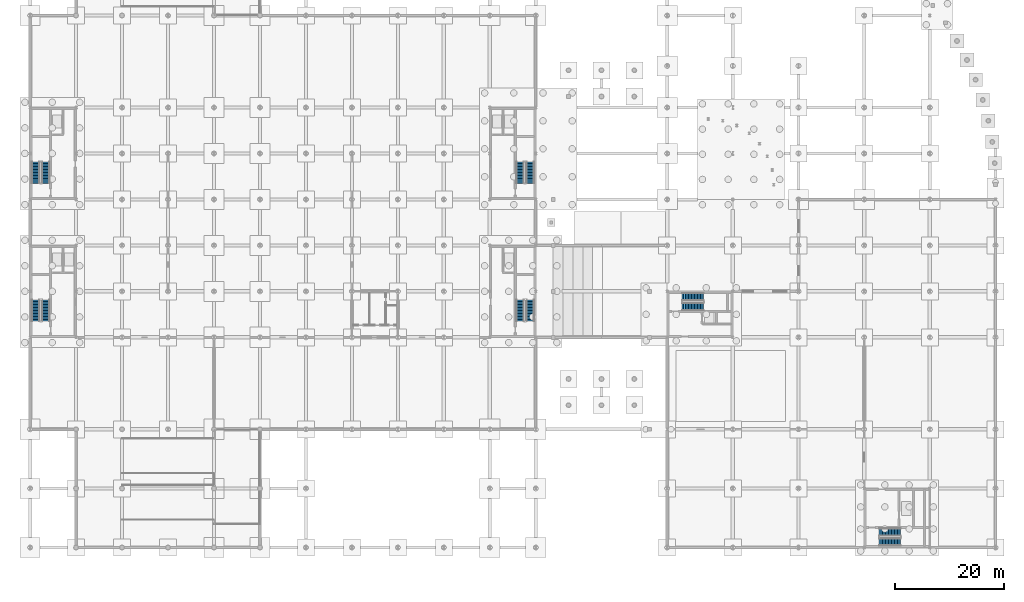
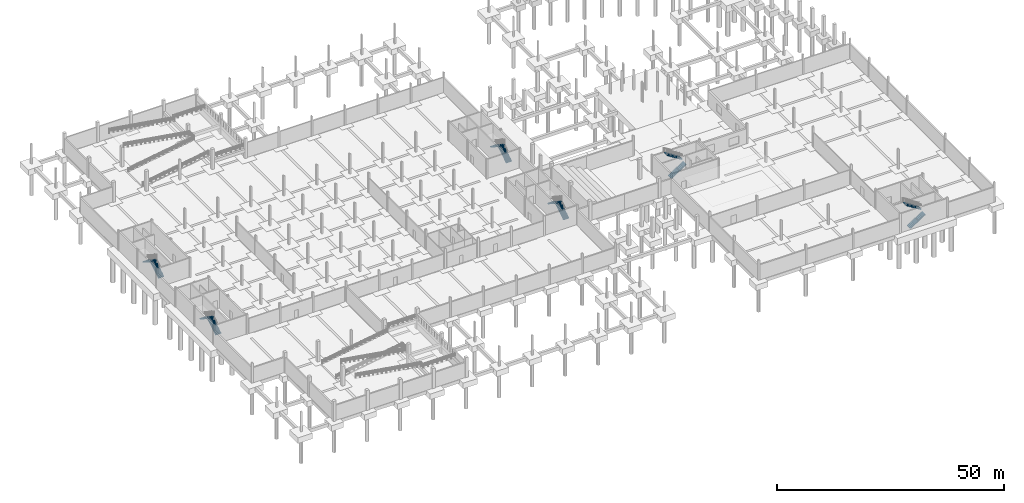
# One storey, part 30 of 36: 12 stair flights, 6 elements without a shape of their own.
"""IFC4 building model written with IfcOpenShell, lengths in metres."""

from ifc_helpers import new_model, si_unit, direction, frame, origin, place, context, subcontext, project, spatial, polyline, outline, extrude, material, type_object, element, aggregate, save


model = new_model("IFC4")

# Units and contexts
model_context = context("Model", 3, precision=1e-05, world=origin(), true_north=direction((0.0, 1.0)))
body_context = subcontext(model_context, "Body", "Model", "MODEL_VIEW")
ifc_project = project(units=[si_unit("LENGTHUNIT", "METRE"), si_unit("AREAUNIT", "SQUARE_METRE"), si_unit("VOLUMEUNIT", "CUBIC_METRE"), si_unit("PLANEANGLEUNIT", "RADIAN"), si_unit("MASSUNIT", "GRAM", prefix="KILO"), si_unit("THERMODYNAMICTEMPERATUREUNIT", "KELVIN"), si_unit("POWERUNIT", "WATT")], contexts=[model_context])

# Site, building, storey
site_placement = place(None, origin())
site = spatial("IfcSite", under=ifc_project, at=site_placement, CompositionType="ELEMENT")
building_placement = place(site_placement, origin())
building = spatial("IfcBuilding", under=site, at=building_placement, Name="Tembeka Court Mobility Hub", CompositionType="ELEMENT")
storey_placement = place(building_placement, frame((0.0, 0.0, -5.39990234375)))
storey = spatial("IfcBuildingStorey", under=building, at=storey_placement, Name="B1", CompositionType="ELEMENT", Elevation=-5.39990234375)

# Stair, stair flights
ifc_material = material(Name="Concrete C40/50", Category="concrete")
stair_type_1 = type_object("IfcStairType", Name="STR-ST01B1", PredefinedType="HALF_TURN_STAIR", material=ifc_material)
stair_1_placement = place(storey_placement, origin())
stair_1 = element("IfcStair", 1, at=stair_1_placement, inside=storey, type_object=stair_type_1, Name="Protected exit stair ST01 (B1)", PredefinedType="HALF_TURN_STAIR")
stair_flight_type_1 = type_object("IfcStairFlightType", Name="STF-ST01B1F1", PredefinedType="STRAIGHT", material=ifc_material)
stair_flight_1_placement = place(storey_placement, frame((2.875, 41.35009765625, 0.0), z_axis=(0.0, 0.0, 1.0), x_axis=(0.0, 1.0, 0.0)))
stair_flight_1 = element("IfcStairFlight", 2, at=stair_flight_1_placement, type_object=stair_flight_type_1, Name="ST01B1 flight 1", NumberOfRisers=15, NumberOfTreads=14, PredefinedType="STRAIGHT", RiserHeight=0.18, TreadLength=0.28, context=body_context, shape_type="SweptSolid", body=[
    extrude(outline(polyline([(0.0, 0.0), (0.0, 0.179931640625), (0.280029296875, 0.179931640625), (0.280029296875, 0.360107421875), (0.56005859375, 0.360107421875), (0.56005859375, 0.5400390625), (0.840087890625, 0.5400390625), (0.840087890625, 0.719970703125), (1.1201171875, 0.719970703125), (1.1201171875, 0.89990234375), (1.39990234375, 0.89990234375), (1.39990234375, 1.080078125), (1.679931640625, 1.080078125), (1.679931640625, 1.260009765625), (1.9599609375, 1.260009765625), (1.9599609375, 1.43994140625), (2.239990234375, 1.43994140625), (2.239990234375, 1.6201171875), (2.52001953125, 1.6201171875), (2.52001953125, 1.800048828125), (2.800048828125, 1.800048828125), (2.800048828125, 1.97998046875), (3.080078125, 1.97998046875), (3.080078125, 2.159912109375), (3.360107421875, 2.159912109375), (3.360107421875, 2.340087890625), (3.639892578125, 2.340087890625), (3.639892578125, 2.52001953125), (3.919921875, 2.52001953125), (3.919921875, 2.699951171875), (3.919921875, 2.341796875), (0.277099609375, 0.0), (0.0, 0.0)])), frame((0.0, 0.72509765625, 0.0), z_axis=(0.0, -1.0, 0.0), x_axis=(1.0, 0.0, 0.0)), (0.0, 0.0, 1.0), 1.449951171875),
])
stair_flight_type_2 = type_object("IfcStairFlightType", Name="STF-ST01B1F2", PredefinedType="STRAIGHT", material=ifc_material)
stair_flight_2_placement = place(storey_placement, frame((1.02490234375, 45.27001953125, 2.699951171875), z_axis=(0.0, 0.0, 1.0), x_axis=(0.0, -1.0, 0.0)))
stair_flight_2 = element("IfcStairFlight", 3, at=stair_flight_2_placement, type_object=stair_flight_type_2, Name="ST01B1 flight 2", NumberOfRisers=15, NumberOfTreads=14, PredefinedType="STRAIGHT", RiserHeight=0.18, TreadLength=0.28, context=body_context, shape_type="SweptSolid", body=[
    extrude(outline(polyline([(0.0, 0.0), (0.0, 0.179931640625), (0.280029296875, 0.179931640625), (0.280029296875, 0.360107421875), (0.56005859375, 0.360107421875), (0.56005859375, 0.5400390625), (0.840087890625, 0.5400390625), (0.840087890625, 0.719970703125), (1.1201171875, 0.719970703125), (1.1201171875, 0.89990234375), (1.39990234375, 0.89990234375), (1.39990234375, 1.080078125), (1.679931640625, 1.080078125), (1.679931640625, 1.260009765625), (1.9599609375, 1.260009765625), (1.9599609375, 1.43994140625), (2.239990234375, 1.43994140625), (2.239990234375, 1.6201171875), (2.52001953125, 1.6201171875), (2.52001953125, 1.800048828125), (2.800048828125, 1.800048828125), (2.800048828125, 1.97998046875), (3.080078125, 1.97998046875), (3.080078125, 2.159912109375), (3.360107421875, 2.159912109375), (3.360107421875, 2.340087890625), (3.639892578125, 2.340087890625), (3.639892578125, 2.52001953125), (3.919921875, 2.52001953125), (3.919921875, 2.699951171875), (3.919921875, 2.341796875), (0.277099609375, 0.0), (0.0, 0.0)])), frame((0.0, 0.72509765625, 0.0), z_axis=(0.0, -1.0, 0.0), x_axis=(1.0, 0.0, 0.0)), (0.0, 0.0, 1.0), 1.449951171875),
])
aggregate(stair_1, [stair_flight_1, stair_flight_2])

stair_type_2 = type_object("IfcStairType", Name="STR-ST02B1", PredefinedType="HALF_TURN_STAIR", material=ifc_material)
stair_2_placement = place(storey_placement, origin())
stair_2 = element("IfcStair", 4, at=stair_2_placement, inside=storey, type_object=stair_type_2, Name="Protected exit stair ST02 (B1)", PredefinedType="HALF_TURN_STAIR")
stair_flight_type_3 = type_object("IfcStairFlightType", Name="STF-ST02B1F1", PredefinedType="STRAIGHT", material=ifc_material)
stair_flight_3_placement = place(storey_placement, frame((91.375, 66.550048828125, 0.0), z_axis=(0.0, 0.0, 1.0), x_axis=(0.0, 1.0, 0.0)))
stair_flight_3 = element("IfcStairFlight", 5, at=stair_flight_3_placement, type_object=stair_flight_type_3, Name="ST02B1 flight 1", NumberOfRisers=15, NumberOfTreads=14, PredefinedType="STRAIGHT", RiserHeight=0.18, TreadLength=0.28, context=body_context, shape_type="SweptSolid", body=[
    extrude(outline(polyline([(0.0, 0.0), (0.0, 0.179931640625), (0.280029296875, 0.179931640625), (0.280029296875, 0.360107421875), (0.56005859375, 0.360107421875), (0.56005859375, 0.5400390625), (0.840087890625, 0.5400390625), (0.840087890625, 0.719970703125), (1.1201171875, 0.719970703125), (1.1201171875, 0.89990234375), (1.39990234375, 0.89990234375), (1.39990234375, 1.080078125), (1.679931640625, 1.080078125), (1.679931640625, 1.260009765625), (1.9599609375, 1.260009765625), (1.9599609375, 1.43994140625), (2.239990234375, 1.43994140625), (2.239990234375, 1.6201171875), (2.52001953125, 1.6201171875), (2.52001953125, 1.800048828125), (2.800048828125, 1.800048828125), (2.800048828125, 1.97998046875), (3.080078125, 1.97998046875), (3.080078125, 2.159912109375), (3.360107421875, 2.159912109375), (3.360107421875, 2.340087890625), (3.639892578125, 2.340087890625), (3.639892578125, 2.52001953125), (3.919921875, 2.52001953125), (3.919921875, 2.699951171875), (3.919921875, 2.341796875), (0.277099609375, 0.0), (0.0, 0.0)])), frame((0.0, 0.72509765625, 0.0), z_axis=(0.0, -1.0, 0.0), x_axis=(1.0, 0.0, 0.0)), (0.0, 0.0, 1.0), 1.449951171875),
])
stair_flight_type_4 = type_object("IfcStairFlightType", Name="STF-ST02B1F2", PredefinedType="STRAIGHT", material=ifc_material)
stair_flight_4_placement = place(storey_placement, frame((89.52490234375, 70.469970703125, 2.699951171875), z_axis=(0.0, 0.0, 1.0), x_axis=(0.0, -1.0, 0.0)))
stair_flight_4 = element("IfcStairFlight", 6, at=stair_flight_4_placement, type_object=stair_flight_type_4, Name="ST02B1 flight 2", NumberOfRisers=15, NumberOfTreads=14, PredefinedType="STRAIGHT", RiserHeight=0.18, TreadLength=0.28, context=body_context, shape_type="SweptSolid", body=[
    extrude(outline(polyline([(0.0, 0.0), (0.0, 0.179931640625), (0.280029296875, 0.179931640625), (0.280029296875, 0.360107421875), (0.56005859375, 0.360107421875), (0.56005859375, 0.5400390625), (0.840087890625, 0.5400390625), (0.840087890625, 0.719970703125), (1.1201171875, 0.719970703125), (1.1201171875, 0.89990234375), (1.39990234375, 0.89990234375), (1.39990234375, 1.080078125), (1.679931640625, 1.080078125), (1.679931640625, 1.260009765625), (1.9599609375, 1.260009765625), (1.9599609375, 1.43994140625), (2.239990234375, 1.43994140625), (2.239990234375, 1.6201171875), (2.52001953125, 1.6201171875), (2.52001953125, 1.800048828125), (2.800048828125, 1.800048828125), (2.800048828125, 1.97998046875), (3.080078125, 1.97998046875), (3.080078125, 2.159912109375), (3.360107421875, 2.159912109375), (3.360107421875, 2.340087890625), (3.639892578125, 2.340087890625), (3.639892578125, 2.52001953125), (3.919921875, 2.52001953125), (3.919921875, 2.699951171875), (3.919921875, 2.341796875), (0.277099609375, 0.0), (0.0, 0.0)])), frame((0.0, 0.72509765625, 0.0), z_axis=(0.0, -1.0, 0.0), x_axis=(1.0, 0.0, 0.0)), (0.0, 0.0, 1.0), 1.449951171875),
])
aggregate(stair_2, [stair_flight_3, stair_flight_4])

stair_type_3 = type_object("IfcStairType", Name="STR-ST03B1", PredefinedType="HALF_TURN_STAIR", material=ifc_material)
stair_3_placement = place(storey_placement, origin())
stair_3 = element("IfcStair", 7, at=stair_3_placement, inside=storey, type_object=stair_type_3, Name="Protected exit stair ST03 (B1)", PredefinedType="HALF_TURN_STAIR")
stair_flight_type_5 = type_object("IfcStairFlightType", Name="STF-ST03B1F1", PredefinedType="STRAIGHT", material=ifc_material)
stair_flight_5_placement = place(storey_placement, frame((2.875, 66.550048828125, 0.0), z_axis=(0.0, 0.0, 1.0), x_axis=(0.0, 1.0, 0.0)))
stair_flight_5 = element("IfcStairFlight", 8, at=stair_flight_5_placement, type_object=stair_flight_type_5, Name="ST03B1 flight 1", NumberOfRisers=15, NumberOfTreads=14, PredefinedType="STRAIGHT", RiserHeight=0.18, TreadLength=0.28, context=body_context, shape_type="SweptSolid", body=[
    extrude(outline(polyline([(0.0, 0.0), (0.0, 0.179931640625), (0.280029296875, 0.179931640625), (0.280029296875, 0.360107421875), (0.56005859375, 0.360107421875), (0.56005859375, 0.5400390625), (0.840087890625, 0.5400390625), (0.840087890625, 0.719970703125), (1.1201171875, 0.719970703125), (1.1201171875, 0.89990234375), (1.39990234375, 0.89990234375), (1.39990234375, 1.080078125), (1.679931640625, 1.080078125), (1.679931640625, 1.260009765625), (1.9599609375, 1.260009765625), (1.9599609375, 1.43994140625), (2.239990234375, 1.43994140625), (2.239990234375, 1.6201171875), (2.52001953125, 1.6201171875), (2.52001953125, 1.800048828125), (2.800048828125, 1.800048828125), (2.800048828125, 1.97998046875), (3.080078125, 1.97998046875), (3.080078125, 2.159912109375), (3.360107421875, 2.159912109375), (3.360107421875, 2.340087890625), (3.639892578125, 2.340087890625), (3.639892578125, 2.52001953125), (3.919921875, 2.52001953125), (3.919921875, 2.699951171875), (3.919921875, 2.341796875), (0.277099609375, 0.0), (0.0, 0.0)])), frame((0.0, 0.72509765625, 0.0), z_axis=(0.0, -1.0, 0.0), x_axis=(1.0, 0.0, 0.0)), (0.0, 0.0, 1.0), 1.449951171875),
])
stair_flight_type_6 = type_object("IfcStairFlightType", Name="STF-ST03B1F2", PredefinedType="STRAIGHT", material=ifc_material)
stair_flight_6_placement = place(storey_placement, frame((1.02490234375, 70.469970703125, 2.699951171875), z_axis=(0.0, 0.0, 1.0), x_axis=(0.0, -1.0, 0.0)))
stair_flight_6 = element("IfcStairFlight", 9, at=stair_flight_6_placement, type_object=stair_flight_type_6, Name="ST03B1 flight 2", NumberOfRisers=15, NumberOfTreads=14, PredefinedType="STRAIGHT", RiserHeight=0.18, TreadLength=0.28, context=body_context, shape_type="SweptSolid", body=[
    extrude(outline(polyline([(0.0, 0.0), (0.0, 0.179931640625), (0.280029296875, 0.179931640625), (0.280029296875, 0.360107421875), (0.56005859375, 0.360107421875), (0.56005859375, 0.5400390625), (0.840087890625, 0.5400390625), (0.840087890625, 0.719970703125), (1.1201171875, 0.719970703125), (1.1201171875, 0.89990234375), (1.39990234375, 0.89990234375), (1.39990234375, 1.080078125), (1.679931640625, 1.080078125), (1.679931640625, 1.260009765625), (1.9599609375, 1.260009765625), (1.9599609375, 1.43994140625), (2.239990234375, 1.43994140625), (2.239990234375, 1.6201171875), (2.52001953125, 1.6201171875), (2.52001953125, 1.800048828125), (2.800048828125, 1.800048828125), (2.800048828125, 1.97998046875), (3.080078125, 1.97998046875), (3.080078125, 2.159912109375), (3.360107421875, 2.159912109375), (3.360107421875, 2.340087890625), (3.639892578125, 2.340087890625), (3.639892578125, 2.52001953125), (3.919921875, 2.52001953125), (3.919921875, 2.699951171875), (3.919921875, 2.341796875), (0.277099609375, 0.0), (0.0, 0.0)])), frame((0.0, 0.72509765625, 0.0), z_axis=(0.0, -1.0, 0.0), x_axis=(1.0, 0.0, 0.0)), (0.0, 0.0, 1.0), 1.449951171875),
])
aggregate(stair_3, [stair_flight_5, stair_flight_6])

stair_type_4 = type_object("IfcStairType", Name="STR-ST04B1", PredefinedType="HALF_TURN_STAIR", material=ifc_material)
stair_4_placement = place(storey_placement, origin())
stair_4 = element("IfcStair", 10, at=stair_4_placement, inside=storey, type_object=stair_type_4, Name="Protected exit stair ST04 (B1)", PredefinedType="HALF_TURN_STAIR")
stair_flight_type_7 = type_object("IfcStairFlightType", Name="STF-ST04B1F1", PredefinedType="STRAIGHT", material=ifc_material)
stair_flight_7_placement = place(storey_placement, frame((91.375, 41.35009765625, 0.0), z_axis=(0.0, 0.0, 1.0), x_axis=(0.0, 1.0, 0.0)))
stair_flight_7 = element("IfcStairFlight", 11, at=stair_flight_7_placement, type_object=stair_flight_type_7, Name="ST04B1 flight 1", NumberOfRisers=15, NumberOfTreads=14, PredefinedType="STRAIGHT", RiserHeight=0.18, TreadLength=0.28, context=body_context, shape_type="SweptSolid", body=[
    extrude(outline(polyline([(0.0, 0.0), (0.0, 0.179931640625), (0.280029296875, 0.179931640625), (0.280029296875, 0.360107421875), (0.56005859375, 0.360107421875), (0.56005859375, 0.5400390625), (0.840087890625, 0.5400390625), (0.840087890625, 0.719970703125), (1.1201171875, 0.719970703125), (1.1201171875, 0.89990234375), (1.39990234375, 0.89990234375), (1.39990234375, 1.080078125), (1.679931640625, 1.080078125), (1.679931640625, 1.260009765625), (1.9599609375, 1.260009765625), (1.9599609375, 1.43994140625), (2.239990234375, 1.43994140625), (2.239990234375, 1.6201171875), (2.52001953125, 1.6201171875), (2.52001953125, 1.800048828125), (2.800048828125, 1.800048828125), (2.800048828125, 1.97998046875), (3.080078125, 1.97998046875), (3.080078125, 2.159912109375), (3.360107421875, 2.159912109375), (3.360107421875, 2.340087890625), (3.639892578125, 2.340087890625), (3.639892578125, 2.52001953125), (3.919921875, 2.52001953125), (3.919921875, 2.699951171875), (3.919921875, 2.341796875), (0.277099609375, 0.0), (0.0, 0.0)])), frame((0.0, 0.72509765625, 0.0), z_axis=(0.0, -1.0, 0.0), x_axis=(1.0, 0.0, 0.0)), (0.0, 0.0, 1.0), 1.449951171875),
])
stair_flight_type_8 = type_object("IfcStairFlightType", Name="STF-ST04B1F2", PredefinedType="STRAIGHT", material=ifc_material)
stair_flight_8_placement = place(storey_placement, frame((89.52490234375, 45.27001953125, 2.699951171875), z_axis=(0.0, 0.0, 1.0), x_axis=(0.0, -1.0, 0.0)))
stair_flight_8 = element("IfcStairFlight", 12, at=stair_flight_8_placement, type_object=stair_flight_type_8, Name="ST04B1 flight 2", NumberOfRisers=15, NumberOfTreads=14, PredefinedType="STRAIGHT", RiserHeight=0.18, TreadLength=0.28, context=body_context, shape_type="SweptSolid", body=[
    extrude(outline(polyline([(0.0, 0.0), (0.0, 0.179931640625), (0.280029296875, 0.179931640625), (0.280029296875, 0.360107421875), (0.56005859375, 0.360107421875), (0.56005859375, 0.5400390625), (0.840087890625, 0.5400390625), (0.840087890625, 0.719970703125), (1.1201171875, 0.719970703125), (1.1201171875, 0.89990234375), (1.39990234375, 0.89990234375), (1.39990234375, 1.080078125), (1.679931640625, 1.080078125), (1.679931640625, 1.260009765625), (1.9599609375, 1.260009765625), (1.9599609375, 1.43994140625), (2.239990234375, 1.43994140625), (2.239990234375, 1.6201171875), (2.52001953125, 1.6201171875), (2.52001953125, 1.800048828125), (2.800048828125, 1.800048828125), (2.800048828125, 1.97998046875), (3.080078125, 1.97998046875), (3.080078125, 2.159912109375), (3.360107421875, 2.159912109375), (3.360107421875, 2.340087890625), (3.639892578125, 2.340087890625), (3.639892578125, 2.52001953125), (3.919921875, 2.52001953125), (3.919921875, 2.699951171875), (3.919921875, 2.341796875), (0.277099609375, 0.0), (0.0, 0.0)])), frame((0.0, 0.72509765625, 0.0), z_axis=(0.0, -1.0, 0.0), x_axis=(1.0, 0.0, 0.0)), (0.0, 0.0, 1.0), 1.449951171875),
])
aggregate(stair_4, [stair_flight_7, stair_flight_8])

stair_type_5 = type_object("IfcStairType", Name="STR-ST05B1", PredefinedType="HALF_TURN_STAIR", material=ifc_material)
stair_5_placement = place(storey_placement, origin())
stair_5 = element("IfcStair", 13, at=stair_5_placement, inside=storey, type_object=stair_type_5, Name="Protected exit stair ST05 (B1)", PredefinedType="HALF_TURN_STAIR")
stair_flight_type_9 = type_object("IfcStairFlightType", Name="STF-ST05B1F1", PredefinedType="STRAIGHT", material=ifc_material)
stair_flight_9_placement = place(storey_placement, frame((119.14990234375, 44.0, 0.0), z_axis=(0.0, 0.0, 1.0), x_axis=(1.0, 0.0, 0.0)))
stair_flight_9 = element("IfcStairFlight", 14, at=stair_flight_9_placement, type_object=stair_flight_type_9, Name="ST05B1 flight 1", NumberOfRisers=15, NumberOfTreads=14, PredefinedType="STRAIGHT", RiserHeight=0.18, TreadLength=0.28, context=body_context, shape_type="SweptSolid", body=[
    extrude(outline(polyline([(0.0, 0.0), (0.0, 0.179931640625), (0.280029296875, 0.179931640625), (0.280029296875, 0.360107421875), (0.56005859375, 0.360107421875), (0.56005859375, 0.5400390625), (0.840087890625, 0.5400390625), (0.840087890625, 0.719970703125), (1.1201171875, 0.719970703125), (1.1201171875, 0.89990234375), (1.39990234375, 0.89990234375), (1.39990234375, 1.080078125), (1.679931640625, 1.080078125), (1.679931640625, 1.260009765625), (1.9599609375, 1.260009765625), (1.9599609375, 1.43994140625), (2.239990234375, 1.43994140625), (2.239990234375, 1.6201171875), (2.52001953125, 1.6201171875), (2.52001953125, 1.800048828125), (2.800048828125, 1.800048828125), (2.800048828125, 1.97998046875), (3.080078125, 1.97998046875), (3.080078125, 2.159912109375), (3.360107421875, 2.159912109375), (3.360107421875, 2.340087890625), (3.639892578125, 2.340087890625), (3.639892578125, 2.52001953125), (3.919921875, 2.52001953125), (3.919921875, 2.699951171875), (3.919921875, 2.341796875), (0.277099609375, 0.0), (0.0, 0.0)])), frame((0.0, 0.699951171875, 0.0), z_axis=(0.0, -1.0, 0.0), x_axis=(1.0, 0.0, 0.0)), (0.0, 0.0, 1.0), 1.39990234375),
])
stair_flight_type_10 = type_object("IfcStairFlightType", Name="STF-ST05B1F2", PredefinedType="STRAIGHT", material=ifc_material)
stair_flight_10_placement = place(storey_placement, frame((123.070068359375, 45.800048828125, 2.699951171875), z_axis=(0.0, 0.0, 1.0), x_axis=(-1.0, 0.0, 0.0)))
stair_flight_10 = element("IfcStairFlight", 15, at=stair_flight_10_placement, type_object=stair_flight_type_10, Name="ST05B1 flight 2", NumberOfRisers=15, NumberOfTreads=14, PredefinedType="STRAIGHT", RiserHeight=0.18, TreadLength=0.28, context=body_context, shape_type="SweptSolid", body=[
    extrude(outline(polyline([(0.0, 0.0), (0.0, 0.179931640625), (0.280029296875, 0.179931640625), (0.280029296875, 0.360107421875), (0.56005859375, 0.360107421875), (0.56005859375, 0.5400390625), (0.840087890625, 0.5400390625), (0.840087890625, 0.719970703125), (1.1201171875, 0.719970703125), (1.1201171875, 0.89990234375), (1.39990234375, 0.89990234375), (1.39990234375, 1.080078125), (1.679931640625, 1.080078125), (1.679931640625, 1.260009765625), (1.9599609375, 1.260009765625), (1.9599609375, 1.43994140625), (2.239990234375, 1.43994140625), (2.239990234375, 1.6201171875), (2.52001953125, 1.6201171875), (2.52001953125, 1.800048828125), (2.800048828125, 1.800048828125), (2.800048828125, 1.97998046875), (3.080078125, 1.97998046875), (3.080078125, 2.159912109375), (3.360107421875, 2.159912109375), (3.360107421875, 2.340087890625), (3.639892578125, 2.340087890625), (3.639892578125, 2.52001953125), (3.919921875, 2.52001953125), (3.919921875, 2.699951171875), (3.919921875, 2.341796875), (0.277099609375, 0.0), (0.0, 0.0)])), frame((0.0, 0.699951171875, 0.0), z_axis=(0.0, -1.0, 0.0), x_axis=(1.0, 0.0, 0.0)), (0.0, 0.0, 1.0), 1.39990234375),
])
aggregate(stair_5, [stair_flight_9, stair_flight_10])

stair_type_6 = type_object("IfcStairType", Name="STR-ST06B1", PredefinedType="HALF_TURN_STAIR", material=ifc_material)
stair_6_placement = place(storey_placement, origin())
stair_6 = element("IfcStair", 16, at=stair_6_placement, inside=storey, type_object=stair_type_6, Name="Protected exit stair ST06 (B1)", PredefinedType="HALF_TURN_STAIR")
stair_flight_type_11 = type_object("IfcStairFlightType", Name="STF-ST06B1F1", PredefinedType="STRAIGHT", material=ifc_material)
stair_flight_11_placement = place(storey_placement, frame((155.14990234375, 1.0, 0.0), z_axis=(0.0, 0.0, 1.0), x_axis=(1.0, 0.0, 0.0)))
stair_flight_11 = element("IfcStairFlight", 17, at=stair_flight_11_placement, type_object=stair_flight_type_11, Name="ST06B1 flight 1", NumberOfRisers=15, NumberOfTreads=14, PredefinedType="STRAIGHT", RiserHeight=0.18, TreadLength=0.28, context=body_context, shape_type="SweptSolid", body=[
    extrude(outline(polyline([(0.0, 0.0), (0.0, 0.179931640625), (0.280029296875, 0.179931640625), (0.280029296875, 0.360107421875), (0.56005859375, 0.360107421875), (0.56005859375, 0.5400390625), (0.840087890625, 0.5400390625), (0.840087890625, 0.719970703125), (1.1201171875, 0.719970703125), (1.1201171875, 0.89990234375), (1.39990234375, 0.89990234375), (1.39990234375, 1.080078125), (1.679931640625, 1.080078125), (1.679931640625, 1.260009765625), (1.9599609375, 1.260009765625), (1.9599609375, 1.43994140625), (2.239990234375, 1.43994140625), (2.239990234375, 1.6201171875), (2.52001953125, 1.6201171875), (2.52001953125, 1.800048828125), (2.800048828125, 1.800048828125), (2.800048828125, 1.97998046875), (3.080078125, 1.97998046875), (3.080078125, 2.159912109375), (3.360107421875, 2.159912109375), (3.360107421875, 2.340087890625), (3.639892578125, 2.340087890625), (3.639892578125, 2.52001953125), (3.919921875, 2.52001953125), (3.919921875, 2.699951171875), (3.919921875, 2.341796875), (0.277099609375, 0.0), (0.0, 0.0)])), frame((0.0, 0.699951171875, 0.0), z_axis=(0.0, -1.0, 0.0), x_axis=(1.0, 0.0, 0.0)), (0.0, 0.0, 1.0), 1.39990234375),
])
stair_flight_type_12 = type_object("IfcStairFlightType", Name="STF-ST06B1F2", PredefinedType="STRAIGHT", material=ifc_material)
stair_flight_12_placement = place(storey_placement, frame((159.070068359375, 2.800048828125, 2.699951171875), z_axis=(0.0, 0.0, 1.0), x_axis=(-1.0, 0.0, 0.0)))
stair_flight_12 = element("IfcStairFlight", 18, at=stair_flight_12_placement, type_object=stair_flight_type_12, Name="ST06B1 flight 2", NumberOfRisers=15, NumberOfTreads=14, PredefinedType="STRAIGHT", RiserHeight=0.18, TreadLength=0.28, context=body_context, shape_type="SweptSolid", body=[
    extrude(outline(polyline([(0.0, 0.0), (0.0, 0.179931640625), (0.280029296875, 0.179931640625), (0.280029296875, 0.360107421875), (0.56005859375, 0.360107421875), (0.56005859375, 0.5400390625), (0.840087890625, 0.5400390625), (0.840087890625, 0.719970703125), (1.1201171875, 0.719970703125), (1.1201171875, 0.89990234375), (1.39990234375, 0.89990234375), (1.39990234375, 1.080078125), (1.679931640625, 1.080078125), (1.679931640625, 1.260009765625), (1.9599609375, 1.260009765625), (1.9599609375, 1.43994140625), (2.239990234375, 1.43994140625), (2.239990234375, 1.6201171875), (2.52001953125, 1.6201171875), (2.52001953125, 1.800048828125), (2.800048828125, 1.800048828125), (2.800048828125, 1.97998046875), (3.080078125, 1.97998046875), (3.080078125, 2.159912109375), (3.360107421875, 2.159912109375), (3.360107421875, 2.340087890625), (3.639892578125, 2.340087890625), (3.639892578125, 2.52001953125), (3.919921875, 2.52001953125), (3.919921875, 2.699951171875), (3.919921875, 2.341796875), (0.277099609375, 0.0), (0.0, 0.0)])), frame((0.0, 0.699951171875, 0.0), z_axis=(0.0, -1.0, 0.0), x_axis=(1.0, 0.0, 0.0)), (0.0, 0.0, 1.0), 1.39990234375),
])
aggregate(stair_6, [stair_flight_11, stair_flight_12])

save(model, "model.ifc")
